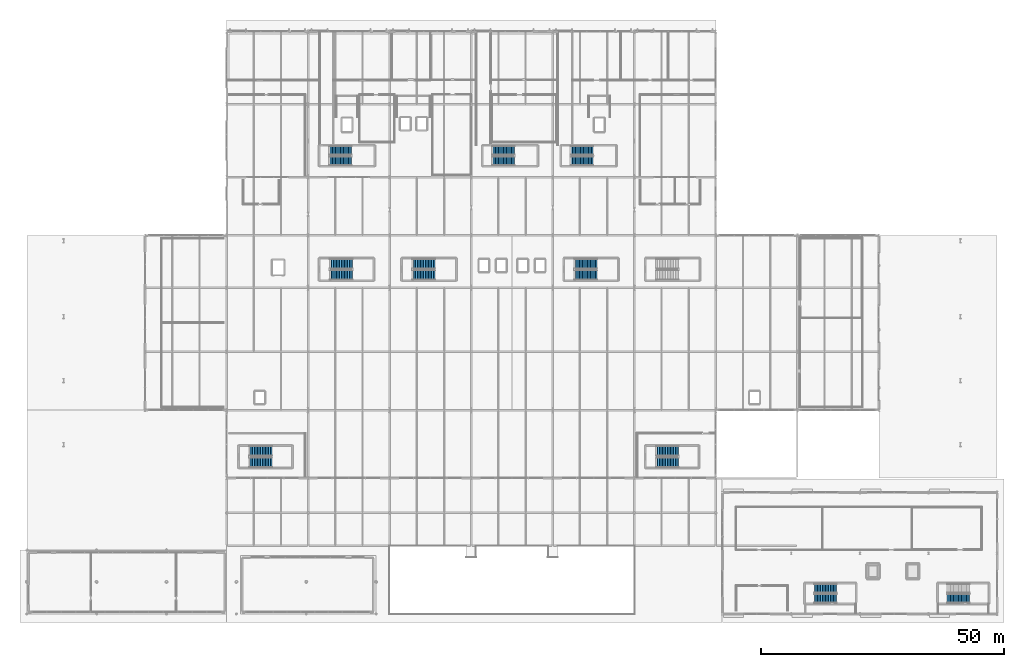
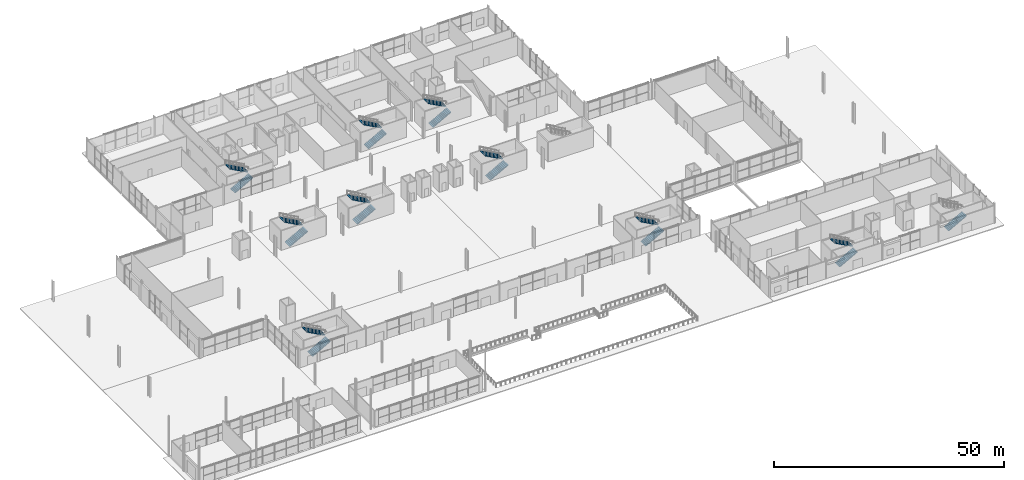
# One storey, part 71 of 87: 19 stair flights, 10 elements without a shape of their own.
"""IFC4 building model written with IfcOpenShell, lengths in metres."""

from ifc_helpers import new_model, si_unit, direction, frame, origin, place, context, subcontext, project, spatial, polyline, outline, extrude, material, type_object, element, aggregate, save


model = new_model("IFC4")

# Units and contexts
model_context = context("Model", 3, precision=1e-05, world=origin(), true_north=direction((0.0, 1.0)))
body_context = subcontext(model_context, "Body", "Model", "MODEL_VIEW")
ifc_project = project(units=[si_unit("LENGTHUNIT", "METRE"), si_unit("AREAUNIT", "SQUARE_METRE"), si_unit("VOLUMEUNIT", "CUBIC_METRE"), si_unit("PLANEANGLEUNIT", "RADIAN"), si_unit("MASSUNIT", "GRAM", prefix="KILO")], contexts=[model_context])

# Site, building, storey
site_placement = place(None, origin())
site = spatial("IfcSite", under=ifc_project, at=site_placement, CompositionType="ELEMENT")
building_placement = place(site_placement, origin())
building = spatial("IfcBuilding", under=site, at=building_placement, Name="Kimbaza Rail Terminus", CompositionType="ELEMENT")
storey_placement = place(building_placement, origin())
storey = spatial("IfcBuildingStorey", under=building, at=storey_placement, Name="L00", CompositionType="ELEMENT", Elevation=0.0)

# Stair, stair flights
ifc_material_1 = material(Name="Concrete C40/50", Category="concrete")
stair_type_1 = type_object("IfcStairType", Name="ARC-STR-02", PredefinedType="HALF_TURN_STAIR", material=ifc_material_1)
stair_1_placement = place(storey_placement, origin())
stair_1 = element("IfcStair", 1, at=stair_1_placement, inside=storey, type_object=stair_type_1, Name="L00 Operations West Exit Stair", PredefinedType="HALF_TURN_STAIR")
ifc_material_2 = material(Name="Concrete C40/50", Category="concrete")
stair_flight_type_1 = type_object("IfcStairFlightType", Name="ARC-SFL-02", PredefinedType="STRAIGHT", material=ifc_material_2)
stair_flight_1_placement = place(storey_placement, frame((76.320068359375, 106.360107421875, 0.0), z_axis=(0.0, 0.0, 1.0), x_axis=(1.0, 0.0, 0.0)))
stair_flight_1 = element("IfcStairFlight", 2, at=stair_flight_1_placement, type_object=stair_flight_type_1, Name="ST-W1 flight 1", NumberOfRisers=15, NumberOfTreads=14, PredefinedType="STRAIGHT", RiserHeight=0.18, TreadLength=0.33, context=body_context, shape_type="SweptSolid", body=[
    extrude(outline(polyline([(0.0, 0.0), (0.0, 0.179931640625), (0.330078125, 0.179931640625), (0.330078125, 0.360107421875), (0.659912109375, 0.360107421875), (0.659912109375, 0.5400390625), (0.989990234375, 0.5400390625), (0.989990234375, 0.719970703125), (1.320068359375, 0.719970703125), (1.320068359375, 0.89990234375), (1.64990234375, 0.89990234375), (1.64990234375, 1.080078125), (1.97998046875, 1.080078125), (1.97998046875, 1.260009765625), (2.31005859375, 1.260009765625), (2.31005859375, 1.43994140625), (2.639892578125, 1.43994140625), (2.639892578125, 1.6201171875), (2.969970703125, 1.6201171875), (2.969970703125, 1.800048828125), (3.300048828125, 1.800048828125), (3.300048828125, 1.97998046875), (3.6298828125, 1.97998046875), (3.6298828125, 2.159912109375), (3.9599609375, 2.159912109375), (3.9599609375, 2.340087890625), (4.2900390625, 2.340087890625), (4.2900390625, 2.52001953125), (4.6201171875, 2.52001953125), (4.6201171875, 2.699951171875), (4.6201171875, 2.349365234375), (0.31298828125, 0.0), (0.0, 0.0)])), frame((0.0, 0.9599609375, 0.0), z_axis=(0.0, -1.0, 0.0), x_axis=(1.0, 0.0, 0.0)), (0.0, 0.0, 1.0), 1.919921875),
])
stair_flight_2_placement = place(storey_placement, frame((80.93994140625, 108.47998046875, 2.699951171875), z_axis=(0.0, 0.0, 1.0), x_axis=(-1.0, 0.0, 0.0)))
stair_flight_2 = element("IfcStairFlight", 3, at=stair_flight_2_placement, type_object=stair_flight_type_1, Name="ST-W1 flight 2", NumberOfRisers=15, NumberOfTreads=14, PredefinedType="STRAIGHT", RiserHeight=0.18, TreadLength=0.33, context=body_context, shape_type="SweptSolid", body=[
    extrude(outline(polyline([(0.0, 0.0), (0.0, 0.179931640625), (0.330078125, 0.179931640625), (0.330078125, 0.360107421875), (0.659912109375, 0.360107421875), (0.659912109375, 0.5400390625), (0.989990234375, 0.5400390625), (0.989990234375, 0.719970703125), (1.320068359375, 0.719970703125), (1.320068359375, 0.89990234375), (1.64990234375, 0.89990234375), (1.64990234375, 1.080078125), (1.97998046875, 1.080078125), (1.97998046875, 1.260009765625), (2.31005859375, 1.260009765625), (2.31005859375, 1.43994140625), (2.639892578125, 1.43994140625), (2.639892578125, 1.6201171875), (2.969970703125, 1.6201171875), (2.969970703125, 1.800048828125), (3.300048828125, 1.800048828125), (3.300048828125, 1.97998046875), (3.6298828125, 1.97998046875), (3.6298828125, 2.159912109375), (3.9599609375, 2.159912109375), (3.9599609375, 2.340087890625), (4.2900390625, 2.340087890625), (4.2900390625, 2.52001953125), (4.6201171875, 2.52001953125), (4.6201171875, 2.699951171875), (4.6201171875, 2.349365234375), (0.31298828125, 0.0), (0.0, 0.0)])), frame((0.0, 0.9599609375, 0.0), z_axis=(0.0, -1.0, 0.0), x_axis=(1.0, 0.0, 0.0)), (0.0, 0.0, 1.0), 1.919921875),
])
aggregate(stair_1, [stair_flight_1, stair_flight_2])

stair_2_placement = place(storey_placement, origin())
stair_2 = element("IfcStair", 4, at=stair_2_placement, inside=storey, type_object=stair_type_1, Name="L00 Operations Central Exit Stair", PredefinedType="HALF_TURN_STAIR")
stair_flight_3_placement = place(storey_placement, frame((109.919921875, 106.360107421875, 0.0), z_axis=(0.0, 0.0, 1.0), x_axis=(1.0, 0.0, 0.0)))
stair_flight_3 = element("IfcStairFlight", 5, at=stair_flight_3_placement, type_object=stair_flight_type_1, Name="ST-M1 flight 1", NumberOfRisers=15, NumberOfTreads=14, PredefinedType="STRAIGHT", RiserHeight=0.18, TreadLength=0.33, context=body_context, shape_type="SweptSolid", body=[
    extrude(outline(polyline([(0.0, 0.0), (0.0, 0.179931640625), (0.330078125, 0.179931640625), (0.330078125, 0.360107421875), (0.659912109375, 0.360107421875), (0.659912109375, 0.5400390625), (0.989990234375, 0.5400390625), (0.989990234375, 0.719970703125), (1.320068359375, 0.719970703125), (1.320068359375, 0.89990234375), (1.64990234375, 0.89990234375), (1.64990234375, 1.080078125), (1.97998046875, 1.080078125), (1.97998046875, 1.260009765625), (2.31005859375, 1.260009765625), (2.31005859375, 1.43994140625), (2.639892578125, 1.43994140625), (2.639892578125, 1.6201171875), (2.969970703125, 1.6201171875), (2.969970703125, 1.800048828125), (3.300048828125, 1.800048828125), (3.300048828125, 1.97998046875), (3.6298828125, 1.97998046875), (3.6298828125, 2.159912109375), (3.9599609375, 2.159912109375), (3.9599609375, 2.340087890625), (4.2900390625, 2.340087890625), (4.2900390625, 2.52001953125), (4.6201171875, 2.52001953125), (4.6201171875, 2.699951171875), (4.6201171875, 2.349365234375), (0.31298828125, 0.0), (0.0, 0.0)])), frame((0.0, 0.9599609375, 0.0), z_axis=(0.0, -1.0, 0.0), x_axis=(1.0, 0.0, 0.0)), (0.0, 0.0, 1.0), 1.919921875),
])
stair_flight_4_placement = place(storey_placement, frame((114.5400390625, 108.47998046875, 2.699951171875), z_axis=(0.0, 0.0, 1.0), x_axis=(-1.0, 0.0, 0.0)))
stair_flight_4 = element("IfcStairFlight", 6, at=stair_flight_4_placement, type_object=stair_flight_type_1, Name="ST-M1 flight 2", NumberOfRisers=15, NumberOfTreads=14, PredefinedType="STRAIGHT", RiserHeight=0.18, TreadLength=0.33, context=body_context, shape_type="SweptSolid", body=[
    extrude(outline(polyline([(0.0, 0.0), (0.0, 0.179931640625), (0.330078125, 0.179931640625), (0.330078125, 0.360107421875), (0.659912109375, 0.360107421875), (0.659912109375, 0.5400390625), (0.989990234375, 0.5400390625), (0.989990234375, 0.719970703125), (1.320068359375, 0.719970703125), (1.320068359375, 0.89990234375), (1.64990234375, 0.89990234375), (1.64990234375, 1.080078125), (1.97998046875, 1.080078125), (1.97998046875, 1.260009765625), (2.31005859375, 1.260009765625), (2.31005859375, 1.43994140625), (2.639892578125, 1.43994140625), (2.639892578125, 1.6201171875), (2.969970703125, 1.6201171875), (2.969970703125, 1.800048828125), (3.300048828125, 1.800048828125), (3.300048828125, 1.97998046875), (3.6298828125, 1.97998046875), (3.6298828125, 2.159912109375), (3.9599609375, 2.159912109375), (3.9599609375, 2.340087890625), (4.2900390625, 2.340087890625), (4.2900390625, 2.52001953125), (4.6201171875, 2.52001953125), (4.6201171875, 2.699951171875), (4.6201171875, 2.349365234375), (0.31298828125, 0.0), (0.0, 0.0)])), frame((0.0, 0.9599609375, 0.0), z_axis=(0.0, -1.0, 0.0), x_axis=(1.0, 0.0, 0.0)), (0.0, 0.0, 1.0), 1.919921875),
])
aggregate(stair_2, [stair_flight_3, stair_flight_4])

stair_3_placement = place(storey_placement, origin())
stair_3 = element("IfcStair", 7, at=stair_3_placement, inside=storey, type_object=stair_type_1, Name="L00 Operations East Exit Stair", PredefinedType="HALF_TURN_STAIR")
stair_flight_5_placement = place(storey_placement, frame((126.1201171875, 106.360107421875, 0.0), z_axis=(0.0, 0.0, 1.0), x_axis=(1.0, 0.0, 0.0)))
stair_flight_5 = element("IfcStairFlight", 8, at=stair_flight_5_placement, type_object=stair_flight_type_1, Name="ST-E1 flight 1", NumberOfRisers=15, NumberOfTreads=14, PredefinedType="STRAIGHT", RiserHeight=0.18, TreadLength=0.33, context=body_context, shape_type="SweptSolid", body=[
    extrude(outline(polyline([(0.0, 0.0), (0.0, 0.179931640625), (0.330078125, 0.179931640625), (0.330078125, 0.360107421875), (0.659912109375, 0.360107421875), (0.659912109375, 0.5400390625), (0.989990234375, 0.5400390625), (0.989990234375, 0.719970703125), (1.320068359375, 0.719970703125), (1.320068359375, 0.89990234375), (1.64990234375, 0.89990234375), (1.64990234375, 1.080078125), (1.97998046875, 1.080078125), (1.97998046875, 1.260009765625), (2.31005859375, 1.260009765625), (2.31005859375, 1.43994140625), (2.639892578125, 1.43994140625), (2.639892578125, 1.6201171875), (2.969970703125, 1.6201171875), (2.969970703125, 1.800048828125), (3.300048828125, 1.800048828125), (3.300048828125, 1.97998046875), (3.6298828125, 1.97998046875), (3.6298828125, 2.159912109375), (3.9599609375, 2.159912109375), (3.9599609375, 2.340087890625), (4.2900390625, 2.340087890625), (4.2900390625, 2.52001953125), (4.6201171875, 2.52001953125), (4.6201171875, 2.699951171875), (4.6201171875, 2.349365234375), (0.31298828125, 0.0), (0.0, 0.0)])), frame((0.0, 0.9599609375, 0.0), z_axis=(0.0, -1.0, 0.0), x_axis=(1.0, 0.0, 0.0)), (0.0, 0.0, 1.0), 1.919921875),
])
stair_flight_6_placement = place(storey_placement, frame((130.739990234375, 108.47998046875, 2.699951171875), z_axis=(0.0, 0.0, 1.0), x_axis=(-1.0, 0.0, 0.0)))
stair_flight_6 = element("IfcStairFlight", 9, at=stair_flight_6_placement, type_object=stair_flight_type_1, Name="ST-E1 flight 2", NumberOfRisers=15, NumberOfTreads=14, PredefinedType="STRAIGHT", RiserHeight=0.18, TreadLength=0.33, context=body_context, shape_type="SweptSolid", body=[
    extrude(outline(polyline([(0.0, 0.0), (0.0, 0.179931640625), (0.330078125, 0.179931640625), (0.330078125, 0.360107421875), (0.659912109375, 0.360107421875), (0.659912109375, 0.5400390625), (0.989990234375, 0.5400390625), (0.989990234375, 0.719970703125), (1.320068359375, 0.719970703125), (1.320068359375, 0.89990234375), (1.64990234375, 0.89990234375), (1.64990234375, 1.080078125), (1.97998046875, 1.080078125), (1.97998046875, 1.260009765625), (2.31005859375, 1.260009765625), (2.31005859375, 1.43994140625), (2.639892578125, 1.43994140625), (2.639892578125, 1.6201171875), (2.969970703125, 1.6201171875), (2.969970703125, 1.800048828125), (3.300048828125, 1.800048828125), (3.300048828125, 1.97998046875), (3.6298828125, 1.97998046875), (3.6298828125, 2.159912109375), (3.9599609375, 2.159912109375), (3.9599609375, 2.340087890625), (4.2900390625, 2.340087890625), (4.2900390625, 2.52001953125), (4.6201171875, 2.52001953125), (4.6201171875, 2.699951171875), (4.6201171875, 2.349365234375), (0.31298828125, 0.0), (0.0, 0.0)])), frame((0.0, 0.9599609375, 0.0), z_axis=(0.0, -1.0, 0.0), x_axis=(1.0, 0.0, 0.0)), (0.0, 0.0, 1.0), 1.919921875),
])
aggregate(stair_3, [stair_flight_5, stair_flight_6])

ifc_material_3 = material(Name="Concrete C40/50", Category="concrete")
stair_type_2 = type_object("IfcStairType", Name="ARC-STR-06", PredefinedType="HALF_TURN_STAIR", material=ifc_material_3)
stair_4_placement = place(storey_placement, origin())
stair_4 = element("IfcStair", 10, at=stair_4_placement, inside=storey, type_object=stair_type_2, Name="L00 Platform West Concourse Stair", PredefinedType="HALF_TURN_STAIR")
ifc_material_4 = material(Name="Concrete C40/50", Category="concrete")
stair_flight_type_2 = type_object("IfcStairFlightType", Name="ARC-SFL-06", PredefinedType="STRAIGHT", material=ifc_material_4)
stair_flight_7_placement = place(storey_placement, frame((76.5, 82.85009765625, 0.0), z_axis=(0.0, 0.0, 1.0), x_axis=(1.0, 0.0, 0.0)))
stair_flight_7 = element("IfcStairFlight", 11, at=stair_flight_7_placement, type_object=stair_flight_type_2, Name="ST-C1 flight 1", NumberOfRisers=15, NumberOfTreads=14, PredefinedType="STRAIGHT", RiserHeight=0.18, TreadLength=0.33, context=body_context, shape_type="SweptSolid", body=[
    extrude(outline(polyline([(0.0, 0.0), (0.0, 0.179931640625), (0.330078125, 0.179931640625), (0.330078125, 0.360107421875), (0.659912109375, 0.360107421875), (0.659912109375, 0.5400390625), (0.989990234375, 0.5400390625), (0.989990234375, 0.719970703125), (1.320068359375, 0.719970703125), (1.320068359375, 0.89990234375), (1.64990234375, 0.89990234375), (1.64990234375, 1.080078125), (1.97998046875, 1.080078125), (1.97998046875, 1.260009765625), (2.31005859375, 1.260009765625), (2.31005859375, 1.43994140625), (2.639892578125, 1.43994140625), (2.639892578125, 1.6201171875), (2.969970703125, 1.6201171875), (2.969970703125, 1.800048828125), (3.300048828125, 1.800048828125), (3.300048828125, 1.97998046875), (3.6298828125, 1.97998046875), (3.6298828125, 2.159912109375), (3.9599609375, 2.159912109375), (3.9599609375, 2.340087890625), (4.2900390625, 2.340087890625), (4.2900390625, 2.52001953125), (4.6201171875, 2.52001953125), (4.6201171875, 2.699951171875), (4.6201171875, 2.349365234375), (0.31298828125, 0.0), (0.0, 0.0)])), frame((0.0, 1.050048828125, 0.0), z_axis=(0.0, -1.0, 0.0), x_axis=(1.0, 0.0, 0.0)), (0.0, 0.0, 1.0), 2.10009765625),
])
stair_flight_8_placement = place(storey_placement, frame((81.1201171875, 85.14990234375, 2.699951171875), z_axis=(0.0, 0.0, 1.0), x_axis=(-1.0, 0.0, 0.0)))
stair_flight_8 = element("IfcStairFlight", 12, at=stair_flight_8_placement, type_object=stair_flight_type_2, Name="ST-C1 flight 2", NumberOfRisers=15, NumberOfTreads=14, PredefinedType="STRAIGHT", RiserHeight=0.18, TreadLength=0.33, context=body_context, shape_type="SweptSolid", body=[
    extrude(outline(polyline([(0.0, 0.0), (0.0, 0.179931640625), (0.330078125, 0.179931640625), (0.330078125, 0.360107421875), (0.659912109375, 0.360107421875), (0.659912109375, 0.5400390625), (0.989990234375, 0.5400390625), (0.989990234375, 0.719970703125), (1.320068359375, 0.719970703125), (1.320068359375, 0.89990234375), (1.64990234375, 0.89990234375), (1.64990234375, 1.080078125), (1.97998046875, 1.080078125), (1.97998046875, 1.260009765625), (2.31005859375, 1.260009765625), (2.31005859375, 1.43994140625), (2.639892578125, 1.43994140625), (2.639892578125, 1.6201171875), (2.969970703125, 1.6201171875), (2.969970703125, 1.800048828125), (3.300048828125, 1.800048828125), (3.300048828125, 1.97998046875), (3.6298828125, 1.97998046875), (3.6298828125, 2.159912109375), (3.9599609375, 2.159912109375), (3.9599609375, 2.340087890625), (4.2900390625, 2.340087890625), (4.2900390625, 2.52001953125), (4.6201171875, 2.52001953125), (4.6201171875, 2.699951171875), (4.6201171875, 2.349365234375), (0.31298828125, 0.0), (0.0, 0.0)])), frame((0.0, 1.050048828125, 0.0), z_axis=(0.0, -1.0, 0.0), x_axis=(1.0, 0.0, 0.0)), (0.0, 0.0, 1.0), 2.10009765625),
])
aggregate(stair_4, [stair_flight_7, stair_flight_8])

stair_5_placement = place(storey_placement, origin())
stair_5 = element("IfcStair", 13, at=stair_5_placement, inside=storey, type_object=stair_type_2, Name="L00 Footbridge West Platform Stair", PredefinedType="HALF_TURN_STAIR")
stair_flight_9_placement = place(storey_placement, frame((93.5, 82.85009765625, 0.0), z_axis=(0.0, 0.0, 1.0), x_axis=(1.0, 0.0, 0.0)))
stair_flight_9 = element("IfcStairFlight", 14, at=stair_flight_9_placement, type_object=stair_flight_type_2, Name="ST-C3 flight 1", NumberOfRisers=15, NumberOfTreads=14, PredefinedType="STRAIGHT", RiserHeight=0.18, TreadLength=0.33, context=body_context, shape_type="SweptSolid", body=[
    extrude(outline(polyline([(0.0, 0.0), (0.0, 0.179931640625), (0.330078125, 0.179931640625), (0.330078125, 0.360107421875), (0.659912109375, 0.360107421875), (0.659912109375, 0.5400390625), (0.989990234375, 0.5400390625), (0.989990234375, 0.719970703125), (1.320068359375, 0.719970703125), (1.320068359375, 0.89990234375), (1.64990234375, 0.89990234375), (1.64990234375, 1.080078125), (1.97998046875, 1.080078125), (1.97998046875, 1.260009765625), (2.31005859375, 1.260009765625), (2.31005859375, 1.43994140625), (2.639892578125, 1.43994140625), (2.639892578125, 1.6201171875), (2.969970703125, 1.6201171875), (2.969970703125, 1.800048828125), (3.300048828125, 1.800048828125), (3.300048828125, 1.97998046875), (3.6298828125, 1.97998046875), (3.6298828125, 2.159912109375), (3.9599609375, 2.159912109375), (3.9599609375, 2.340087890625), (4.2900390625, 2.340087890625), (4.2900390625, 2.52001953125), (4.6201171875, 2.52001953125), (4.6201171875, 2.699951171875), (4.6201171875, 2.349365234375), (0.31298828125, 0.0), (0.0, 0.0)])), frame((0.0, 1.050048828125, 0.0), z_axis=(0.0, -1.0, 0.0), x_axis=(1.0, 0.0, 0.0)), (0.0, 0.0, 1.0), 2.10009765625),
])
stair_flight_10_placement = place(storey_placement, frame((98.1201171875, 85.14990234375, 2.699951171875), z_axis=(0.0, 0.0, 1.0), x_axis=(-1.0, 0.0, 0.0)))
stair_flight_10 = element("IfcStairFlight", 15, at=stair_flight_10_placement, type_object=stair_flight_type_2, Name="ST-C3 flight 2", NumberOfRisers=15, NumberOfTreads=14, PredefinedType="STRAIGHT", RiserHeight=0.18, TreadLength=0.33, context=body_context, shape_type="SweptSolid", body=[
    extrude(outline(polyline([(0.0, 0.0), (0.0, 0.179931640625), (0.330078125, 0.179931640625), (0.330078125, 0.360107421875), (0.659912109375, 0.360107421875), (0.659912109375, 0.5400390625), (0.989990234375, 0.5400390625), (0.989990234375, 0.719970703125), (1.320068359375, 0.719970703125), (1.320068359375, 0.89990234375), (1.64990234375, 0.89990234375), (1.64990234375, 1.080078125), (1.97998046875, 1.080078125), (1.97998046875, 1.260009765625), (2.31005859375, 1.260009765625), (2.31005859375, 1.43994140625), (2.639892578125, 1.43994140625), (2.639892578125, 1.6201171875), (2.969970703125, 1.6201171875), (2.969970703125, 1.800048828125), (3.300048828125, 1.800048828125), (3.300048828125, 1.97998046875), (3.6298828125, 1.97998046875), (3.6298828125, 2.159912109375), (3.9599609375, 2.159912109375), (3.9599609375, 2.340087890625), (4.2900390625, 2.340087890625), (4.2900390625, 2.52001953125), (4.6201171875, 2.52001953125), (4.6201171875, 2.699951171875), (4.6201171875, 2.349365234375), (0.31298828125, 0.0), (0.0, 0.0)])), frame((0.0, 1.050048828125, 0.0), z_axis=(0.0, -1.0, 0.0), x_axis=(1.0, 0.0, 0.0)), (0.0, 0.0, 1.0), 2.10009765625),
])
aggregate(stair_5, [stair_flight_9, stair_flight_10])

stair_6_placement = place(storey_placement, origin())
stair_6 = element("IfcStair", 16, at=stair_6_placement, inside=storey, type_object=stair_type_2, Name="L00 Footbridge East Platform Stair", PredefinedType="HALF_TURN_STAIR")
stair_flight_11_placement = place(storey_placement, frame((126.89990234375, 82.85009765625, 0.0), z_axis=(0.0, 0.0, 1.0), x_axis=(1.0, 0.0, 0.0)))
stair_flight_11 = element("IfcStairFlight", 17, at=stair_flight_11_placement, type_object=stair_flight_type_2, Name="ST-C4 flight 1", NumberOfRisers=15, NumberOfTreads=14, PredefinedType="STRAIGHT", RiserHeight=0.18, TreadLength=0.33, context=body_context, shape_type="SweptSolid", body=[
    extrude(outline(polyline([(0.0, 0.0), (0.0, 0.179931640625), (0.330078125, 0.179931640625), (0.330078125, 0.360107421875), (0.659912109375, 0.360107421875), (0.659912109375, 0.5400390625), (0.989990234375, 0.5400390625), (0.989990234375, 0.719970703125), (1.320068359375, 0.719970703125), (1.320068359375, 0.89990234375), (1.64990234375, 0.89990234375), (1.64990234375, 1.080078125), (1.97998046875, 1.080078125), (1.97998046875, 1.260009765625), (2.31005859375, 1.260009765625), (2.31005859375, 1.43994140625), (2.639892578125, 1.43994140625), (2.639892578125, 1.6201171875), (2.969970703125, 1.6201171875), (2.969970703125, 1.800048828125), (3.300048828125, 1.800048828125), (3.300048828125, 1.97998046875), (3.6298828125, 1.97998046875), (3.6298828125, 2.159912109375), (3.9599609375, 2.159912109375), (3.9599609375, 2.340087890625), (4.2900390625, 2.340087890625), (4.2900390625, 2.52001953125), (4.6201171875, 2.52001953125), (4.6201171875, 2.699951171875), (4.6201171875, 2.349365234375), (0.31298828125, 0.0), (0.0, 0.0)])), frame((0.0, 1.050048828125, 0.0), z_axis=(0.0, -1.0, 0.0), x_axis=(1.0, 0.0, 0.0)), (0.0, 0.0, 1.0), 2.10009765625),
])
stair_flight_12_placement = place(storey_placement, frame((131.52001953125, 85.14990234375, 2.699951171875), z_axis=(0.0, 0.0, 1.0), x_axis=(-1.0, 0.0, 0.0)))
stair_flight_12 = element("IfcStairFlight", 18, at=stair_flight_12_placement, type_object=stair_flight_type_2, Name="ST-C4 flight 2", NumberOfRisers=15, NumberOfTreads=14, PredefinedType="STRAIGHT", RiserHeight=0.18, TreadLength=0.33, context=body_context, shape_type="SweptSolid", body=[
    extrude(outline(polyline([(0.0, 0.0), (0.0, 0.179931640625), (0.330078125, 0.179931640625), (0.330078125, 0.360107421875), (0.659912109375, 0.360107421875), (0.659912109375, 0.5400390625), (0.989990234375, 0.5400390625), (0.989990234375, 0.719970703125), (1.320068359375, 0.719970703125), (1.320068359375, 0.89990234375), (1.64990234375, 0.89990234375), (1.64990234375, 1.080078125), (1.97998046875, 1.080078125), (1.97998046875, 1.260009765625), (2.31005859375, 1.260009765625), (2.31005859375, 1.43994140625), (2.639892578125, 1.43994140625), (2.639892578125, 1.6201171875), (2.969970703125, 1.6201171875), (2.969970703125, 1.800048828125), (3.300048828125, 1.800048828125), (3.300048828125, 1.97998046875), (3.6298828125, 1.97998046875), (3.6298828125, 2.159912109375), (3.9599609375, 2.159912109375), (3.9599609375, 2.340087890625), (4.2900390625, 2.340087890625), (4.2900390625, 2.52001953125), (4.6201171875, 2.52001953125), (4.6201171875, 2.699951171875), (4.6201171875, 2.349365234375), (0.31298828125, 0.0), (0.0, 0.0)])), frame((0.0, 1.050048828125, 0.0), z_axis=(0.0, -1.0, 0.0), x_axis=(1.0, 0.0, 0.0)), (0.0, 0.0, 1.0), 2.10009765625),
])
aggregate(stair_6, [stair_flight_11, stair_flight_12])

stair_7_placement = place(storey_placement, origin())
stair_7 = element("IfcStair", 19, at=stair_7_placement, inside=storey, type_object=stair_type_2, Name="L00 South Metro Concourse West Stair", PredefinedType="HALF_TURN_STAIR")
stair_flight_13_placement = place(storey_placement, frame((59.89990234375, 44.25, 0.0), z_axis=(0.0, 0.0, 1.0), x_axis=(1.0, 0.0, 0.0)))
stair_flight_13 = element("IfcStairFlight", 20, at=stair_flight_13_placement, type_object=stair_flight_type_2, Name="ST-S1 flight 1", NumberOfRisers=15, NumberOfTreads=14, PredefinedType="STRAIGHT", RiserHeight=0.18, TreadLength=0.33, context=body_context, shape_type="SweptSolid", body=[
    extrude(outline(polyline([(0.0, 0.0), (0.0, 0.179931640625), (0.330078125, 0.179931640625), (0.330078125, 0.360107421875), (0.659912109375, 0.360107421875), (0.659912109375, 0.5400390625), (0.989990234375, 0.5400390625), (0.989990234375, 0.719970703125), (1.320068359375, 0.719970703125), (1.320068359375, 0.89990234375), (1.64990234375, 0.89990234375), (1.64990234375, 1.080078125), (1.97998046875, 1.080078125), (1.97998046875, 1.260009765625), (2.31005859375, 1.260009765625), (2.31005859375, 1.43994140625), (2.639892578125, 1.43994140625), (2.639892578125, 1.6201171875), (2.969970703125, 1.6201171875), (2.969970703125, 1.800048828125), (3.300048828125, 1.800048828125), (3.300048828125, 1.97998046875), (3.6298828125, 1.97998046875), (3.6298828125, 2.159912109375), (3.9599609375, 2.159912109375), (3.9599609375, 2.340087890625), (4.2900390625, 2.340087890625), (4.2900390625, 2.52001953125), (4.6201171875, 2.52001953125), (4.6201171875, 2.699951171875), (4.6201171875, 2.349365234375), (0.31298828125, 0.0), (0.0, 0.0)])), frame((0.0, 1.050048828125, 0.0), z_axis=(0.0, -1.0, 0.0), x_axis=(1.0, 0.0, 0.0)), (0.0, 0.0, 1.0), 2.10009765625),
])
stair_flight_14_placement = place(storey_placement, frame((64.52001953125, 46.550048828125, 2.699951171875), z_axis=(0.0, 0.0, 1.0), x_axis=(-1.0, 0.0, 0.0)))
stair_flight_14 = element("IfcStairFlight", 21, at=stair_flight_14_placement, type_object=stair_flight_type_2, Name="ST-S1 flight 2", NumberOfRisers=15, NumberOfTreads=14, PredefinedType="STRAIGHT", RiserHeight=0.18, TreadLength=0.33, context=body_context, shape_type="SweptSolid", body=[
    extrude(outline(polyline([(0.0, 0.0), (0.0, 0.179931640625), (0.330078125, 0.179931640625), (0.330078125, 0.360107421875), (0.659912109375, 0.360107421875), (0.659912109375, 0.5400390625), (0.989990234375, 0.5400390625), (0.989990234375, 0.719970703125), (1.320068359375, 0.719970703125), (1.320068359375, 0.89990234375), (1.64990234375, 0.89990234375), (1.64990234375, 1.080078125), (1.97998046875, 1.080078125), (1.97998046875, 1.260009765625), (2.31005859375, 1.260009765625), (2.31005859375, 1.43994140625), (2.639892578125, 1.43994140625), (2.639892578125, 1.6201171875), (2.969970703125, 1.6201171875), (2.969970703125, 1.800048828125), (3.300048828125, 1.800048828125), (3.300048828125, 1.97998046875), (3.6298828125, 1.97998046875), (3.6298828125, 2.159912109375), (3.9599609375, 2.159912109375), (3.9599609375, 2.340087890625), (4.2900390625, 2.340087890625), (4.2900390625, 2.52001953125), (4.6201171875, 2.52001953125), (4.6201171875, 2.699951171875), (4.6201171875, 2.349365234375), (0.31298828125, 0.0), (0.0, 0.0)])), frame((0.0, 1.050048828125, 0.0), z_axis=(0.0, -1.0, 0.0), x_axis=(1.0, 0.0, 0.0)), (0.0, 0.0, 1.0), 2.10009765625),
])
aggregate(stair_7, [stair_flight_13, stair_flight_14])

stair_8_placement = place(storey_placement, origin())
stair_8 = element("IfcStair", 22, at=stair_8_placement, inside=storey, type_object=stair_type_2, Name="L00 South Metro Concourse East Stair", PredefinedType="HALF_TURN_STAIR")
stair_flight_15_placement = place(storey_placement, frame((143.699951171875, 44.25, 0.0), z_axis=(0.0, 0.0, 1.0), x_axis=(1.0, 0.0, 0.0)))
stair_flight_15 = element("IfcStairFlight", 23, at=stair_flight_15_placement, type_object=stair_flight_type_2, Name="ST-S2 flight 1", NumberOfRisers=15, NumberOfTreads=14, PredefinedType="STRAIGHT", RiserHeight=0.18, TreadLength=0.33, context=body_context, shape_type="SweptSolid", body=[
    extrude(outline(polyline([(0.0, 0.0), (0.0, 0.179931640625), (0.330078125, 0.179931640625), (0.330078125, 0.360107421875), (0.659912109375, 0.360107421875), (0.659912109375, 0.5400390625), (0.989990234375, 0.5400390625), (0.989990234375, 0.719970703125), (1.320068359375, 0.719970703125), (1.320068359375, 0.89990234375), (1.64990234375, 0.89990234375), (1.64990234375, 1.080078125), (1.97998046875, 1.080078125), (1.97998046875, 1.260009765625), (2.31005859375, 1.260009765625), (2.31005859375, 1.43994140625), (2.639892578125, 1.43994140625), (2.639892578125, 1.6201171875), (2.969970703125, 1.6201171875), (2.969970703125, 1.800048828125), (3.300048828125, 1.800048828125), (3.300048828125, 1.97998046875), (3.6298828125, 1.97998046875), (3.6298828125, 2.159912109375), (3.9599609375, 2.159912109375), (3.9599609375, 2.340087890625), (4.2900390625, 2.340087890625), (4.2900390625, 2.52001953125), (4.6201171875, 2.52001953125), (4.6201171875, 2.699951171875), (4.6201171875, 2.349365234375), (0.31298828125, 0.0), (0.0, 0.0)])), frame((0.0, 1.050048828125, 0.0), z_axis=(0.0, -1.0, 0.0), x_axis=(1.0, 0.0, 0.0)), (0.0, 0.0, 1.0), 2.10009765625),
])
stair_flight_16_placement = place(storey_placement, frame((148.320068359375, 46.550048828125, 2.699951171875), z_axis=(0.0, 0.0, 1.0), x_axis=(-1.0, 0.0, 0.0)))
stair_flight_16 = element("IfcStairFlight", 24, at=stair_flight_16_placement, type_object=stair_flight_type_2, Name="ST-S2 flight 2", NumberOfRisers=15, NumberOfTreads=14, PredefinedType="STRAIGHT", RiserHeight=0.18, TreadLength=0.33, context=body_context, shape_type="SweptSolid", body=[
    extrude(outline(polyline([(0.0, 0.0), (0.0, 0.179931640625), (0.330078125, 0.179931640625), (0.330078125, 0.360107421875), (0.659912109375, 0.360107421875), (0.659912109375, 0.5400390625), (0.989990234375, 0.5400390625), (0.989990234375, 0.719970703125), (1.320068359375, 0.719970703125), (1.320068359375, 0.89990234375), (1.64990234375, 0.89990234375), (1.64990234375, 1.080078125), (1.97998046875, 1.080078125), (1.97998046875, 1.260009765625), (2.31005859375, 1.260009765625), (2.31005859375, 1.43994140625), (2.639892578125, 1.43994140625), (2.639892578125, 1.6201171875), (2.969970703125, 1.6201171875), (2.969970703125, 1.800048828125), (3.300048828125, 1.800048828125), (3.300048828125, 1.97998046875), (3.6298828125, 1.97998046875), (3.6298828125, 2.159912109375), (3.9599609375, 2.159912109375), (3.9599609375, 2.340087890625), (4.2900390625, 2.340087890625), (4.2900390625, 2.52001953125), (4.6201171875, 2.52001953125), (4.6201171875, 2.699951171875), (4.6201171875, 2.349365234375), (0.31298828125, 0.0), (0.0, 0.0)])), frame((0.0, 1.050048828125, 0.0), z_axis=(0.0, -1.0, 0.0), x_axis=(1.0, 0.0, 0.0)), (0.0, 0.0, 1.0), 2.10009765625),
])
aggregate(stair_8, [stair_flight_15, stair_flight_16])

ifc_material_5 = material(Name="Concrete C40/50", Category="concrete")
stair_type_3 = type_object("IfcStairType", Name="ARC-STR-07", PredefinedType="HALF_TURN_STAIR", material=ifc_material_5)
stair_9_placement = place(storey_placement, origin())
stair_9 = element("IfcStair", 25, at=stair_9_placement, inside=storey, type_object=stair_type_3, Name="L00 Retail Pavilion West Stair", PredefinedType="HALF_TURN_STAIR")
ifc_material_6 = material(Name="Concrete C40/50", Category="concrete")
stair_flight_type_3 = type_object("IfcStairFlightType", Name="ARC-SFL-07", PredefinedType="STRAIGHT", material=ifc_material_6)
stair_flight_17_placement = place(storey_placement, frame((176.300048828125, 16.14990234375, 0.0), z_axis=(0.0, 0.0, 1.0), x_axis=(1.0, 0.0, 0.0)))
stair_flight_17 = element("IfcStairFlight", 26, at=stair_flight_17_placement, type_object=stair_flight_type_3, Name="ST-P1 flight 1", NumberOfRisers=15, NumberOfTreads=14, PredefinedType="STRAIGHT", RiserHeight=0.18, TreadLength=0.33, context=body_context, shape_type="SweptSolid", body=[
    extrude(outline(polyline([(0.0, 0.0), (0.0, 0.179931640625), (0.330078125, 0.179931640625), (0.330078125, 0.360107421875), (0.659912109375, 0.360107421875), (0.659912109375, 0.5400390625), (0.989990234375, 0.5400390625), (0.989990234375, 0.719970703125), (1.320068359375, 0.719970703125), (1.320068359375, 0.89990234375), (1.64990234375, 0.89990234375), (1.64990234375, 1.080078125), (1.97998046875, 1.080078125), (1.97998046875, 1.260009765625), (2.31005859375, 1.260009765625), (2.31005859375, 1.43994140625), (2.639892578125, 1.43994140625), (2.639892578125, 1.6201171875), (2.969970703125, 1.6201171875), (2.969970703125, 1.800048828125), (3.300048828125, 1.800048828125), (3.300048828125, 1.97998046875), (3.6298828125, 1.97998046875), (3.6298828125, 2.159912109375), (3.9599609375, 2.159912109375), (3.9599609375, 2.340087890625), (4.2900390625, 2.340087890625), (4.2900390625, 2.52001953125), (4.6201171875, 2.52001953125), (4.6201171875, 2.699951171875), (4.6201171875, 2.349365234375), (0.31298828125, 0.0), (0.0, 0.0)])), frame((0.0, 0.949951171875, 0.0), z_axis=(0.0, -1.0, 0.0), x_axis=(1.0, 0.0, 0.0)), (0.0, 0.0, 1.0), 1.89990234375),
])
stair_flight_18_placement = place(storey_placement, frame((180.919921875, 18.25, 2.699951171875), z_axis=(0.0, 0.0, 1.0), x_axis=(-1.0, 0.0, 0.0)))
stair_flight_18 = element("IfcStairFlight", 27, at=stair_flight_18_placement, type_object=stair_flight_type_3, Name="ST-P1 flight 2", NumberOfRisers=15, NumberOfTreads=14, PredefinedType="STRAIGHT", RiserHeight=0.18, TreadLength=0.33, context=body_context, shape_type="SweptSolid", body=[
    extrude(outline(polyline([(0.0, 0.0), (0.0, 0.179931640625), (0.330078125, 0.179931640625), (0.330078125, 0.360107421875), (0.659912109375, 0.360107421875), (0.659912109375, 0.5400390625), (0.989990234375, 0.5400390625), (0.989990234375, 0.719970703125), (1.320068359375, 0.719970703125), (1.320068359375, 0.89990234375), (1.64990234375, 0.89990234375), (1.64990234375, 1.080078125), (1.97998046875, 1.080078125), (1.97998046875, 1.260009765625), (2.31005859375, 1.260009765625), (2.31005859375, 1.43994140625), (2.639892578125, 1.43994140625), (2.639892578125, 1.6201171875), (2.969970703125, 1.6201171875), (2.969970703125, 1.800048828125), (3.300048828125, 1.800048828125), (3.300048828125, 1.97998046875), (3.6298828125, 1.97998046875), (3.6298828125, 2.159912109375), (3.9599609375, 2.159912109375), (3.9599609375, 2.340087890625), (4.2900390625, 2.340087890625), (4.2900390625, 2.52001953125), (4.6201171875, 2.52001953125), (4.6201171875, 2.699951171875), (4.6201171875, 2.349365234375), (0.31298828125, 0.0), (0.0, 0.0)])), frame((0.0, 0.949951171875, 0.0), z_axis=(0.0, -1.0, 0.0), x_axis=(1.0, 0.0, 0.0)), (0.0, 0.0, 1.0), 1.89990234375),
])
aggregate(stair_9, [stair_flight_17, stair_flight_18])

# Stair, stair flight
stair_10_placement = place(storey_placement, origin())
stair_10 = element("IfcStair", 28, at=stair_10_placement, inside=storey, type_object=stair_type_3, Name="L00 Retail Pavilion East Stair", PredefinedType="HALF_TURN_STAIR")
stair_flight_19_placement = place(storey_placement, frame((203.699951171875, 16.14990234375, 0.0), z_axis=(0.0, 0.0, 1.0), x_axis=(1.0, 0.0, 0.0)))
stair_flight_19 = element("IfcStairFlight", 29, at=stair_flight_19_placement, type_object=stair_flight_type_3, Name="ST-P2 flight 1", NumberOfRisers=15, NumberOfTreads=14, PredefinedType="STRAIGHT", RiserHeight=0.18, TreadLength=0.33, context=body_context, shape_type="SweptSolid", body=[
    extrude(outline(polyline([(0.0, 0.0), (0.0, 0.179931640625), (0.330078125, 0.179931640625), (0.330078125, 0.360107421875), (0.659912109375, 0.360107421875), (0.659912109375, 0.5400390625), (0.989990234375, 0.5400390625), (0.989990234375, 0.719970703125), (1.320068359375, 0.719970703125), (1.320068359375, 0.89990234375), (1.64990234375, 0.89990234375), (1.64990234375, 1.080078125), (1.97998046875, 1.080078125), (1.97998046875, 1.260009765625), (2.31005859375, 1.260009765625), (2.31005859375, 1.43994140625), (2.639892578125, 1.43994140625), (2.639892578125, 1.6201171875), (2.969970703125, 1.6201171875), (2.969970703125, 1.800048828125), (3.300048828125, 1.800048828125), (3.300048828125, 1.97998046875), (3.6298828125, 1.97998046875), (3.6298828125, 2.159912109375), (3.9599609375, 2.159912109375), (3.9599609375, 2.340087890625), (4.2900390625, 2.340087890625), (4.2900390625, 2.52001953125), (4.6201171875, 2.52001953125), (4.6201171875, 2.699951171875), (4.6201171875, 2.349365234375), (0.31298828125, 0.0), (0.0, 0.0)])), frame((0.0, 0.949951171875, 0.0), z_axis=(0.0, -1.0, 0.0), x_axis=(1.0, 0.0, 0.0)), (0.0, 0.0, 1.0), 1.89990234375),
])
aggregate(stair_10, [stair_flight_19])

save(model, "model.ifc")
